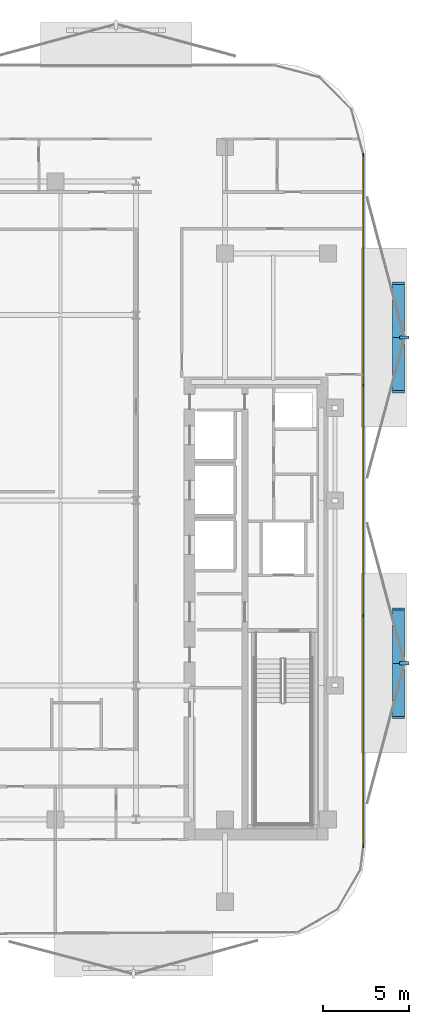
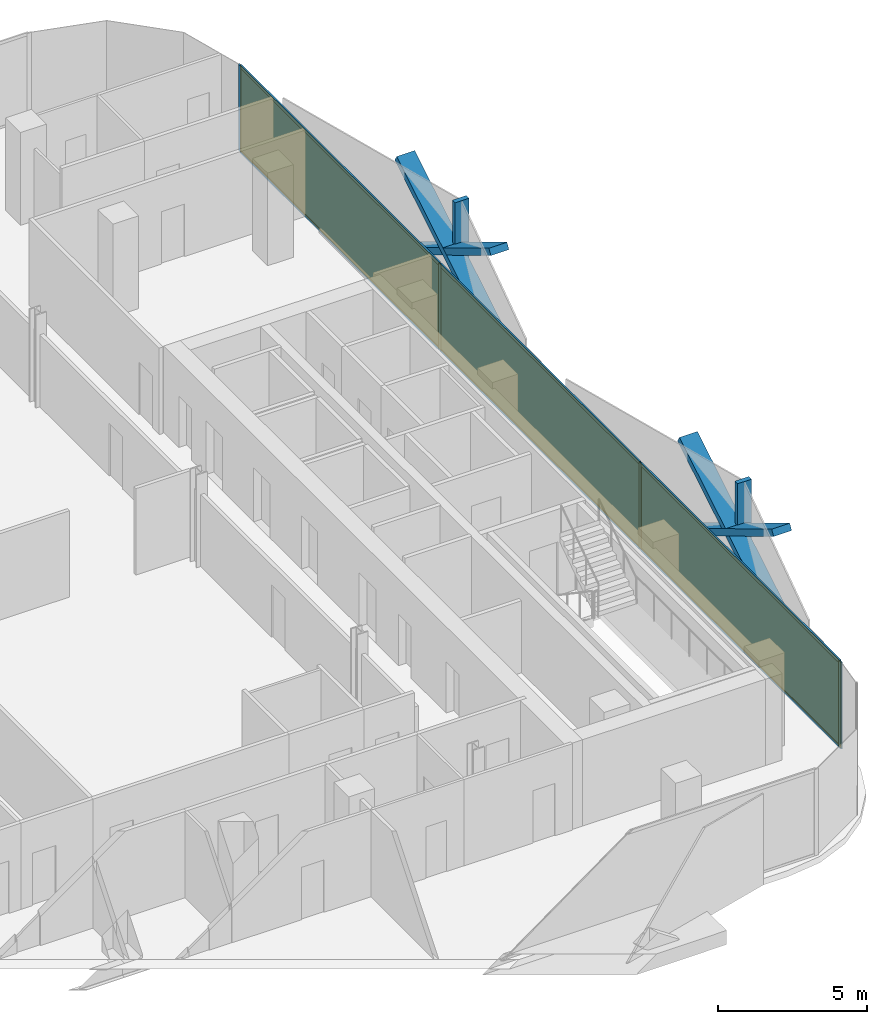
# One storey, part 11 of 17: 16 members, 3 plates, 1 curtain wall.
"""IFC4 building model written with IfcOpenShell, lengths in metres."""

from ifc_helpers import new_model, si_unit, direction, frame, frame_2d, origin, origin_2d, place, context, subcontext, project, spatial, rectangle, extrude, material, layer, layer_set, material_profile, profile_set, type_object, element, aggregate, save


model = new_model("IFC4")

# Units and contexts
model_context = context("Model", 3, precision=1e-05, world=origin(), true_north=direction((0.0, 1.0)))
body_context = subcontext(model_context, "Body", "Model", "MODEL_VIEW")
ifc_project = project(units=[si_unit("LENGTHUNIT", "METRE"), si_unit("AREAUNIT", "SQUARE_METRE"), si_unit("VOLUMEUNIT", "CUBIC_METRE"), si_unit("PLANEANGLEUNIT", "RADIAN"), si_unit("MASSUNIT", "GRAM", prefix="KILO")], contexts=[model_context])

# Member
ifc_material_1 = material(Name="Anodised Bronze Aluminium 6063-T6", Category="aluminium")
ifc_material_profile_1 = material_profile(ifc_material_1, rectangle(XDim=0.260009765625, YDim=0.699951171875, at=origin_2d()))
ifc_profile_set_1 = profile_set([ifc_material_profile_1], Name="Anodised Bronze Aluminium 6063-T6")
member_type_1 = type_object("IfcMemberType", Name="Bronze Diamond Solar-Screen Lattice Rib BDL-700", PredefinedType="MULLION", material=ifc_profile_set_1)
site_placement = place(None, origin())
building_placement = place(site_placement, origin())
storey_placement = place(building_placement, frame((0.0, 0.0, 176.39990234375)))
member_1_placement = place(storey_placement, frame((24.5, 12.660400390625, -0.1298828125), z_axis=(0.0, -0.85737327611, 0.514695118893), x_axis=(0.0, -0.514695118893, -0.85737327611)))
member_1 = element("IfcMember", 1, at=member_1_placement, type_object=member_type_1, Name="L40 Bronze Diamond Solar Screen Lattice Rib 263A", PredefinedType="MULLION", context=body_context, shape_type="SweptSolid", body=[
    extrude(rectangle(XDim=0.260009765625, YDim=0.699951171875, at=origin_2d()), origin(), (0.0, 0.0, 1.0), 7.383056640625),
])

member_2_placement = place(storey_placement, frame((24.5, 6.330322265625, -0.1298828125), z_axis=(0.0, 0.85737327611, 0.514695118893), x_axis=(0.0, 0.514695118893, -0.85737327611)))
member_2 = element("IfcMember", 2, at=member_2_placement, type_object=member_type_1, Name="L40 Bronze Diamond Solar Screen Lattice Rib 263B", PredefinedType="MULLION", context=body_context, shape_type="SweptSolid", body=[
    extrude(rectangle(XDim=0.260009765625, YDim=0.699951171875, at=origin_2d()), origin(), (0.0, 0.0, 1.0), 7.383056640625),
])

member_3_placement = place(storey_placement, frame((24.5, -6.330322265625, -0.1298828125), z_axis=(0.0, -0.85737327611, 0.514695118893), x_axis=(0.0, -0.514695118893, -0.85737327611)))
member_3 = element("IfcMember", 3, at=member_3_placement, type_object=member_type_1, Name="L40 Bronze Diamond Solar Screen Lattice Rib 264A", PredefinedType="MULLION", context=body_context, shape_type="SweptSolid", body=[
    extrude(rectangle(XDim=0.260009765625, YDim=0.699951171875, at=origin_2d()), origin(), (0.0, 0.0, 1.0), 7.383056640625),
])

member_4_placement = place(storey_placement, frame((24.5, -12.660400390625, -0.1298828125), z_axis=(0.0, 0.85737327611, 0.514695118893), x_axis=(0.0, 0.514695118893, -0.85737327611)))
member_4 = element("IfcMember", 4, at=member_4_placement, type_object=member_type_1, Name="L40 Bronze Diamond Solar Screen Lattice Rib 264B", PredefinedType="MULLION", context=body_context, shape_type="SweptSolid", body=[
    extrude(rectangle(XDim=0.260009765625, YDim=0.699951171875, at=origin_2d()), origin(), (0.0, 0.0, 1.0), 7.383056640625),
])

ifc_material_2 = material(Name="Anodised Bronze Aluminium 6063-T6", Category="aluminium")
ifc_material_profile_2 = material_profile(ifc_material_2, rectangle(XDim=0.179931640625, YDim=0.5400390625, at=origin_2d()))
ifc_profile_set_2 = profile_set([ifc_material_profile_2], Name="Anodised Bronze Aluminium 6063-T6")
member_type_2 = type_object("IfcMemberType", Name="Bronze Solar-Screen Vertical Fold Fin BSF-540", PredefinedType="MULLION", material=ifc_profile_set_2)
member_5_placement = place(storey_placement, frame((24.840087890625, 9.495361328125, -0.1298828125), z_axis=(0.0, 0.0, 1.0), x_axis=(0.0, -1.0, 0.0)))
member_5 = element("IfcMember", 5, at=member_5_placement, type_object=member_type_2, Name="L40 Bronze Solar Screen Vertical Fin 263", PredefinedType="MULLION", context=body_context, shape_type="SweptSolid", body=[
    extrude(rectangle(XDim=0.179931640625, YDim=0.5400390625, at=origin_2d()), origin(), (0.0, 0.0, 1.0), 3.800048828125),
])

member_6_placement = place(storey_placement, frame((24.840087890625, -9.495361328125, -0.1298828125), z_axis=(0.0, 0.0, 1.0), x_axis=(0.0, -1.0, 0.0)))
member_6 = element("IfcMember", 6, at=member_6_placement, type_object=member_type_2, Name="L40 Bronze Solar Screen Vertical Fin 264", PredefinedType="MULLION", context=body_context, shape_type="SweptSolid", body=[
    extrude(rectangle(XDim=0.179931640625, YDim=0.5400390625, at=origin_2d()), origin(), (0.0, 0.0, 1.0), 3.800048828125),
])

ifc_material_3 = material(Name="Anodised Bronze Aluminium 6063-T6", Category="aluminium")
ifc_material_profile_3 = material_profile(ifc_material_3, rectangle(XDim=0.06005859375, YDim=0.1650390625, at=origin_2d()))
ifc_profile_set_3 = profile_set([ifc_material_profile_3], Name="Anodised Bronze Aluminium 6063-T6")
member_type_3 = type_object("IfcMemberType", Name="CW-Z3 Mullion 60x165", PredefinedType="MULLION", material=ifc_profile_set_3)
member_7_placement = place(storey_placement, frame((22.4599609375, 20.160888671875, 0.0), z_axis=(0.0, 0.0, 1.0), x_axis=(1.0, 0.0, 0.0)))
member_7 = element("IfcMember", 7, at=member_7_placement, type_object=member_type_3, Name="CW-Z3 mullion 1", PredefinedType="MULLION", context=body_context, shape_type="SweptSolid", body=[
    extrude(rectangle(XDim=0.06005859375, YDim=0.1650390625, at=origin_2d()), origin(), (0.0, 0.0, 1.0), 3.5400390625),
])

member_8_placement = place(storey_placement, frame((22.4599609375, 6.730224609375, 0.0), z_axis=(0.0, 0.0, 1.0), x_axis=(1.0, 0.0, 0.0)))
member_8 = element("IfcMember", 8, at=member_8_placement, type_object=member_type_3, Name="CW-Z3 mullion 2", PredefinedType="MULLION", context=body_context, shape_type="SweptSolid", body=[
    extrude(rectangle(XDim=0.06005859375, YDim=0.1650390625, at=origin_2d()), origin(), (0.0, 0.0, 1.0), 3.5400390625),
])

member_9_placement = place(storey_placement, frame((22.4599609375, -6.730224609375, 0.0), z_axis=(0.0, 0.0, 1.0), x_axis=(1.0, 0.0, 0.0)))
member_9 = element("IfcMember", 9, at=member_9_placement, type_object=member_type_3, Name="CW-Z3 mullion 3", PredefinedType="MULLION", context=body_context, shape_type="SweptSolid", body=[
    extrude(rectangle(XDim=0.06005859375, YDim=0.1650390625, at=origin_2d()), origin(), (0.0, 0.0, 1.0), 3.5400390625),
])

member_10_placement = place(storey_placement, frame((22.4599609375, -20.160888671875, 0.0), z_axis=(0.0, 0.0, 1.0), x_axis=(1.0, 0.0, 0.0)))
member_10 = element("IfcMember", 10, at=member_10_placement, type_object=member_type_3, Name="CW-Z3 mullion 4", PredefinedType="MULLION", context=body_context, shape_type="SweptSolid", body=[
    extrude(rectangle(XDim=0.06005859375, YDim=0.1650390625, at=origin_2d()), origin(), (0.0, 0.0, 1.0), 3.5400390625),
])

ifc_material_4 = material(Name="Anodised Bronze Aluminium 6063-T6", Category="aluminium")
ifc_material_profile_4 = material_profile(ifc_material_4, rectangle(XDim=0.06005859375, YDim=0.1298828125, at=origin_2d()))
ifc_profile_set_4 = profile_set([ifc_material_profile_4], Name="Anodised Bronze Aluminium 6063-T6")
member_type_4 = type_object("IfcMemberType", Name="CW-Z3 Transom 60x130", PredefinedType="USERDEFINED", material=ifc_profile_set_4)
member_11_placement = place(storey_placement, frame((22.4599609375, 20.130859375, 0.030029296875), z_axis=(0.0, -1.0, 0.0), x_axis=(1.0, 0.0, 0.0)))
member_11 = element("IfcMember", 11, at=member_11_placement, type_object=member_type_4, Name="CW-Z3 transom 1.1", ObjectType="TRANSOM", PredefinedType="USERDEFINED", context=body_context, shape_type="SweptSolid", body=[
    extrude(rectangle(XDim=0.06005859375, YDim=0.1298828125, at=origin_2d()), origin(), (0.0, 0.0, 1.0), 13.37060546875),
])

member_12_placement = place(storey_placement, frame((22.4599609375, 20.130859375, 3.510009765625), z_axis=(0.0, -1.0, 0.0), x_axis=(1.0, 0.0, 0.0)))
member_12 = element("IfcMember", 12, at=member_12_placement, type_object=member_type_4, Name="CW-Z3 transom 1.2", ObjectType="TRANSOM", PredefinedType="USERDEFINED", context=body_context, shape_type="SweptSolid", body=[
    extrude(rectangle(XDim=0.06005859375, YDim=0.1298828125, at=origin_2d()), origin(), (0.0, 0.0, 1.0), 13.37060546875),
])

member_13_placement = place(storey_placement, frame((22.4599609375, 6.7001953125, 0.030029296875), z_axis=(0.0, -1.0, 0.0), x_axis=(1.0, 0.0, 0.0)))
member_13 = element("IfcMember", 13, at=member_13_placement, type_object=member_type_4, Name="CW-Z3 transom 2.1", ObjectType="TRANSOM", PredefinedType="USERDEFINED", context=body_context, shape_type="SweptSolid", body=[
    extrude(rectangle(XDim=0.06005859375, YDim=0.1298828125, at=origin_2d()), origin(), (0.0, 0.0, 1.0), 13.400390625),
])

member_14_placement = place(storey_placement, frame((22.4599609375, 6.7001953125, 3.510009765625), z_axis=(0.0, -1.0, 0.0), x_axis=(1.0, 0.0, 0.0)))
member_14 = element("IfcMember", 14, at=member_14_placement, type_object=member_type_4, Name="CW-Z3 transom 2.2", ObjectType="TRANSOM", PredefinedType="USERDEFINED", context=body_context, shape_type="SweptSolid", body=[
    extrude(rectangle(XDim=0.06005859375, YDim=0.1298828125, at=origin_2d()), origin(), (0.0, 0.0, 1.0), 13.400390625),
])

member_15_placement = place(storey_placement, frame((22.4599609375, -6.76025390625, 0.030029296875), z_axis=(0.0, -1.0, 0.0), x_axis=(1.0, 0.0, 0.0)))
member_15 = element("IfcMember", 15, at=member_15_placement, type_object=member_type_4, Name="CW-Z3 transom 3.1", ObjectType="TRANSOM", PredefinedType="USERDEFINED", context=body_context, shape_type="SweptSolid", body=[
    extrude(rectangle(XDim=0.06005859375, YDim=0.1298828125, at=origin_2d()), origin(), (0.0, 0.0, 1.0), 13.37060546875),
])

member_16_placement = place(storey_placement, frame((22.4599609375, -6.76025390625, 3.510009765625), z_axis=(0.0, -1.0, 0.0), x_axis=(1.0, 0.0, 0.0)))
member_16 = element("IfcMember", 16, at=member_16_placement, type_object=member_type_4, Name="CW-Z3 transom 3.2", ObjectType="TRANSOM", PredefinedType="USERDEFINED", context=body_context, shape_type="SweptSolid", body=[
    extrude(rectangle(XDim=0.06005859375, YDim=0.1298828125, at=origin_2d()), origin(), (0.0, 0.0, 1.0), 13.37060546875),
])

# Plate
ifc_material_5 = material(Name="Low-E Solar Control Laminated Glass", Category="glass")
ifc_layer_1 = layer(ifc_material_5, 0.030029296875, Name="Low-E Solar Control Laminated Glass")
ifc_layer_set_1 = layer_set([ifc_layer_1], Name="Low-E Solar Control Laminated Glass")
plate_type = type_object("IfcPlateType", Name="CW-Z3 Low-E Double Glazed Panel 30mm", PredefinedType="CURTAIN_PANEL", material=ifc_layer_set_1)
plate_1_placement = place(storey_placement, frame((22.4599609375, 13.445556640625, 0.06005859375), z_axis=(0.0, 0.0, 1.0), x_axis=(0.0, -1.0, 0.0)))
plate_1 = element("IfcPlate", 17, at=plate_1_placement, type_object=plate_type, Name="CW-Z3 panel 1.1", PredefinedType="CURTAIN_PANEL", context=body_context, shape_type="SweptSolid", body=[
    extrude(rectangle(XDim=13.37060546875, YDim=0.030029296875, at=origin_2d()), origin(), (0.0, 0.0, 1.0), 3.419921875),
])

plate_2_placement = place(storey_placement, frame((22.4599609375, 0.0, 0.06005859375), z_axis=(0.0, 0.0, 1.0), x_axis=(0.0, -1.0, 0.0)))
plate_2 = element("IfcPlate", 18, at=plate_2_placement, type_object=plate_type, Name="CW-Z3 panel 2.1", PredefinedType="CURTAIN_PANEL", context=body_context, shape_type="SweptSolid", body=[
    extrude(rectangle(XDim=13.400634765625, YDim=0.030029296875, at=origin_2d()), origin(), (0.0, 0.0, 1.0), 3.419921875),
])

plate_3_placement = place(storey_placement, frame((22.4599609375, -13.445556640625, 0.06005859375), z_axis=(0.0, 0.0, 1.0), x_axis=(0.0, -1.0, 0.0)))
plate_3 = element("IfcPlate", 19, at=plate_3_placement, type_object=plate_type, Name="CW-Z3 panel 3.1", PredefinedType="CURTAIN_PANEL", context=body_context, shape_type="SweptSolid", body=[
    extrude(rectangle(XDim=13.37060546875, YDim=0.030029296875, at=origin_2d()), origin(), (0.0, 0.0, 1.0), 3.419921875),
])

# Site, building, storey
site = spatial("IfcSite", under=ifc_project, at=site_placement, CompositionType="ELEMENT")
building = spatial("IfcBuilding", under=site, at=building_placement, Name="Khairoan Windgate Tower", CompositionType="ELEMENT")
storey = spatial("IfcBuildingStorey", under=building, at=storey_placement, Name="L40", CompositionType="ELEMENT", Elevation=176.39990234375)

# Curtain wall
ifc_material_6 = material(Name="Anodised Bronze Aluminium 6063-T6", Category="aluminium")
ifc_layer_2 = layer(ifc_material_6, 0.1650390625, Name="Anodised Bronze Aluminium 6063-T6")
ifc_layer_set_2 = layer_set([ifc_layer_2], Name="Anodised Bronze Aluminium 6063-T6")
curtain_wall_type = type_object("IfcCurtainWallType", Name="Luxury Hotel Acoustic Curtain Wall CW-Z3", PredefinedType="NOTDEFINED", material=ifc_layer_set_2)
curtain_wall_placement = place(storey_placement, frame((22.4599609375, 20.19091796875, 0.0), z_axis=(0.0, 0.0, 1.0), x_axis=(0.0, -1.0, 0.0)))
curtain_wall = element("IfcCurtainWall", 20, at=curtain_wall_placement, inside=storey, type_object=curtain_wall_type, Name="L40 Unitised Curtain Wall 13", PredefinedType="NOTDEFINED", context=body_context, shape_type="SweptSolid", body=[
    extrude(rectangle(XDim=40.3818359375, YDim=0.010009765625, at=frame_2d((20.19091796875, 0.0))), origin(), (0.0, 0.0, 1.0), 3.5400390625),
])

aggregate(curtain_wall, [member_7, member_8, member_9, member_10, member_11, member_12, plate_1, member_13, member_14, plate_2, member_15, member_16, plate_3, member_1, member_2, member_5, member_3, member_4, member_6])

save(model, "model.ifc")
